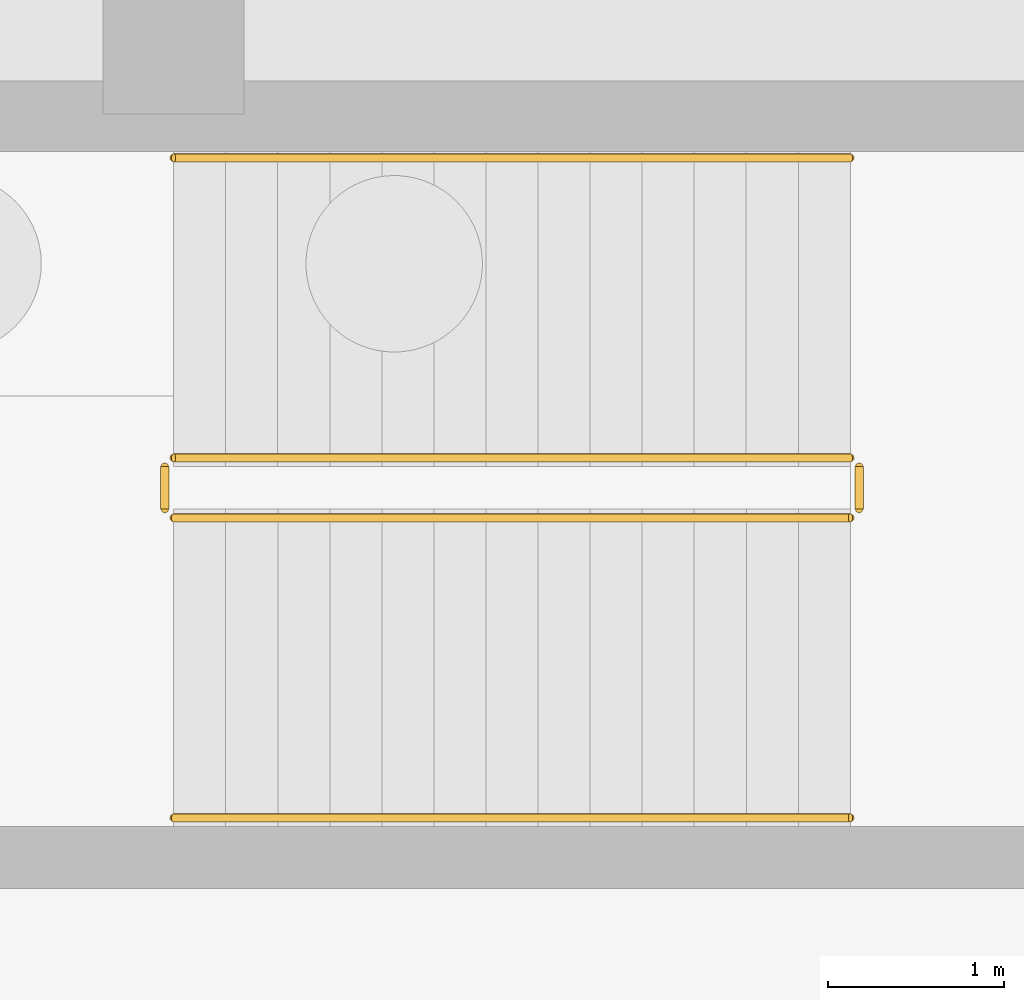
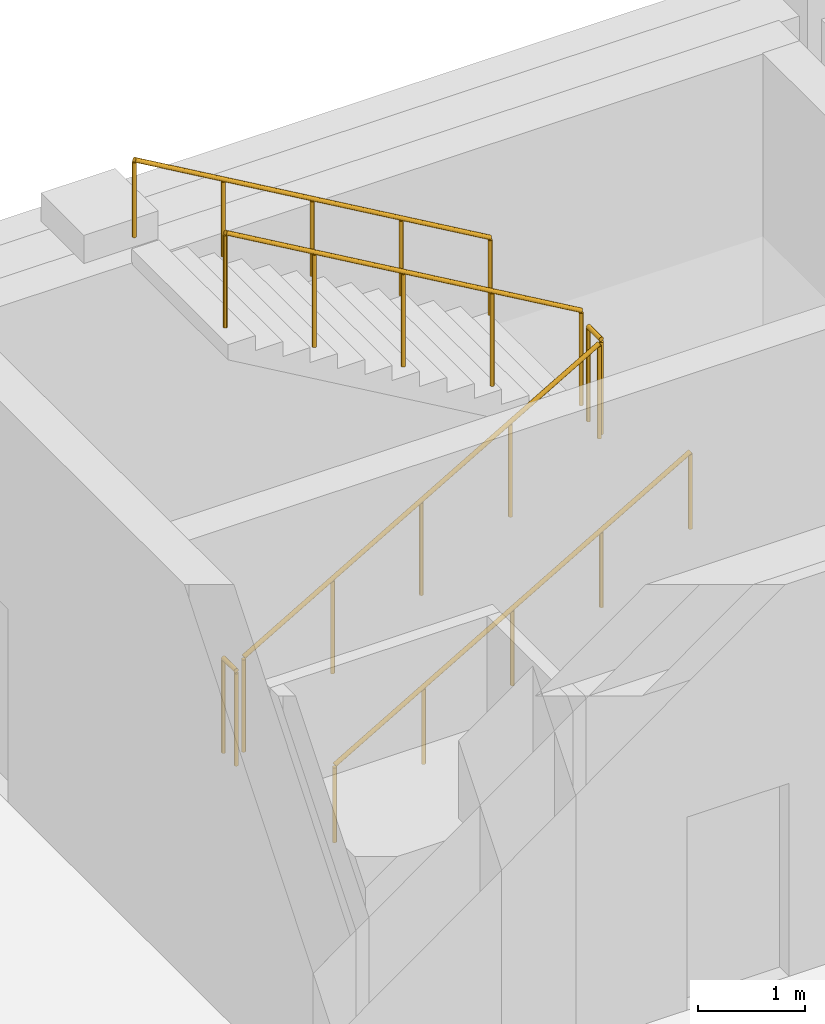
# One storey, part 32 of 35: 6 railings.
"""IFC4 building model written with IfcOpenShell, lengths in metres."""

import ifcopenshell
import ifcopenshell.guid

model = None  # the IFC model being written
_history = None  # IfcOwnerHistory: only IFC2X3 demands one
_inside = {}  # id of a spatial element -> (the spatial element, [elements in it])
_under = {}  # id of a project, library or spatial element -> (it, [spatial elements below it])
_declared = {}  # id of a project -> (the project, [libraries it declares])
_typed = {}  # id of a type object -> (the type object, [elements of that type])
_made_of = {}  # id of a material, layer set ... -> (it, [elements and type objects made of it])


def new_model(schema):
    """Start an empty IFC model of exactly this schema.

    Asked for "IFC4X3", IfcOpenShell would pick the latest addendum, in which some entities
    have other attributes; the version numbers below select the first issue.
    IFC2X3 requires an IfcOwnerHistory on every rooted entity: one is made here for all.
    """
    global model, _history
    if schema == "IFC4X3":
        model = ifcopenshell.file(schema_version=(4, 3, 0, 0))
    else:
        model = ifcopenshell.file(schema=schema)
    _inside.clear()
    _under.clear()
    _declared.clear()
    _typed.clear()
    _made_of.clear()
    _history = None
    if model.schema == "IFC2X3":
        org = make("IfcOrganization", Name="unknown")
        user = make(
            "IfcPersonAndOrganization",
            ThePerson=make("IfcPerson", FamilyName="unknown"),
            TheOrganization=org,
        )
        app = make(
            "IfcApplication",
            ApplicationDeveloper=org,
            Version="unknown",
            ApplicationFullName="unknown",
            ApplicationIdentifier="unknown",
        )
        _history = make(
            "IfcOwnerHistory",
            OwningUser=user,
            OwningApplication=app,
            ChangeAction="ADDED",
            CreationDate=0,
        )
    return model


def make(cls, **values):
    """One entity of the class cls with the attributes given. An attribute that is None is left unset."""
    return model.create_entity(
        cls, **{name: value for name, value in values.items() if value is not None}
    )


def rooted(cls, **values):
    """An entity with a GlobalId (a new one), such as an element, a storey or a relation."""
    return make(cls, GlobalId=ifcopenshell.guid.new(), OwnerHistory=_history, **values)


def si_unit(unit_type, name, prefix=None):
    """IfcSIUnit, for example si_unit("LENGTHUNIT", "METRE", prefix="MILLI")."""
    return make("IfcSIUnit", UnitType=unit_type, Prefix=prefix, Name=name)


def assignment(units):
    """IfcUnitAssignment: the units of a project."""
    return None if units is None else make("IfcUnitAssignment", Units=units)


def point(xyz):
    """IfcCartesianPoint."""
    return None if xyz is None else make("IfcCartesianPoint", Coordinates=xyz)


def direction(xyz):
    """IfcDirection."""
    return None if xyz is None else make("IfcDirection", DirectionRatios=xyz)


def frame(location, z_axis=None, x_axis=None):
    """IfcAxis2Placement3D, a coordinate frame: its origin and axes. An axis left out is left unset."""
    return make(
        "IfcAxis2Placement3D",
        Location=point(location),
        Axis=direction(z_axis),
        RefDirection=direction(x_axis),
    )


def frame_2d(location, x_axis=None):
    """IfcAxis2Placement2D, a coordinate frame in the plane: its origin and x axis."""
    return make(
        "IfcAxis2Placement2D", Location=point(location), RefDirection=direction(x_axis)
    )


def origin():
    """The frame at (0, 0, 0) with its axes left unset."""
    return frame((0.0, 0.0, 0.0))


def origin_2d():
    """The frame at (0, 0) in the plane with its x axis left unset."""
    return frame_2d((0.0, 0.0))


def place(relative_to, where):
    """IfcLocalPlacement: puts the frame where relative to a parent placement (None: the world)."""
    return make(
        "IfcLocalPlacement", PlacementRelTo=relative_to, RelativePlacement=where
    )


def context(
    kind, dimensions, precision=None, world=None, true_north=None, identifier=None
):
    """IfcGeometricRepresentationContext, for example the 3D "Model" context."""
    return make(
        "IfcGeometricRepresentationContext",
        ContextIdentifier=identifier,
        ContextType=kind,
        CoordinateSpaceDimension=dimensions,
        Precision=precision,
        WorldCoordinateSystem=world,
        TrueNorth=true_north,
    )


def subcontext(parent, identifier, kind, view, scale=None):
    """IfcGeometricRepresentationSubContext, for example "Body" below "Model"."""
    return make(
        "IfcGeometricRepresentationSubContext",
        ContextIdentifier=identifier,
        ContextType=kind,
        ParentContext=parent,
        TargetScale=scale,
        TargetView=view,
    )


def project(units=None, contexts=None):
    """IfcProject with its units and contexts."""
    return rooted(
        "IfcProject",
        Name="project",
        RepresentationContexts=contexts,
        UnitsInContext=assignment(units),
    )


def spatial(cls, under=None, at=None, **own):
    """A site, building, storey or space (cls), placed at a placement, below another one or the project."""
    s = rooted(cls, ObjectPlacement=at, **own)
    if under is not None:
        _under.setdefault(under.id(), (under, []))[1].append(s)
    return s


def profile(cls, at=None, kind="AREA", **sizes):
    """A parametric profile (cls). Its sizes go by their IFC names, for example OverallWidth=200.0."""
    return make(cls, ProfileType=kind, Position=at, **sizes)


def circle(**sizes):
    """IfcCircleProfileDef."""
    return profile("IfcCircleProfileDef", **sizes)


def extrude(swept, where, along, depth):
    """IfcExtrudedAreaSolid: the profile swept, set in the frame where, extruded along a direction by depth."""
    return make(
        "IfcExtrudedAreaSolid",
        SweptArea=swept,
        Position=where,
        ExtrudedDirection=direction(along),
        Depth=depth,
    )


def shape(context_of_items, identifier, shape_type, items):
    """IfcShapeRepresentation: the items that make up one representation, for example the "Body"."""
    return make(
        "IfcShapeRepresentation",
        ContextOfItems=context_of_items,
        RepresentationIdentifier=identifier,
        RepresentationType=shape_type,
        Items=items,
    )


def material(Name=None, Category=None):
    """IfcMaterial."""
    return make("IfcMaterial", Name=Name, Category=Category)


def made_of(thing, what):
    """Note that an element or type object is made of a material, layer set ...; save() writes the relation."""
    if what is not None:
        _made_of.setdefault(what.id(), (what, []))[1].append(thing)
    return thing


def type_object(cls, material=None, **own):
    """A type object (cls), such as IfcWallType, which elements share."""
    return made_of(rooted(cls, **own), material)


def element(
    cls,
    number,
    at=None,
    inside=None,
    cuts=None,
    type_object=None,
    material=None,
    context=None,
    identifier="Body",
    shape_type=None,
    held_by="IfcProductDefinitionShape",
    body=None,
    shapes=None,
    **own,
):
    """One element of the class cls, such as IfcWall. Its Tag is "e" and its number.

    at: its placement. inside: the storey or other place that contains it. cuts: it is an
    opening in that element (IfcRelVoidsElement). A single representation is given by context,
    identifier, shape_type and body (its items); several are given by shapes. held_by: the class
    of the entity that holds the representations. save() writes the other relations.
    """
    e = rooted(cls, Tag="e%d" % number, ObjectPlacement=at, **own)
    if body is not None:
        shapes = [shape(context, identifier, shape_type, body)]
    if shapes is not None:
        e.Representation = make(held_by, Representations=shapes)
    if inside is not None:
        _inside.setdefault(inside.id(), (inside, []))[1].append(e)
    if cuts is not None:
        rooted(
            "IfcRelVoidsElement", RelatingBuildingElement=cuts, RelatedOpeningElement=e
        )
    if type_object is not None:
        _typed.setdefault(type_object.id(), (type_object, []))[1].append(e)
    return made_of(e, material)


def aggregate(whole, parts):
    """IfcRelAggregates: a whole, such as a stair, and the parts it consists of."""
    return rooted("IfcRelAggregates", RelatingObject=whole, RelatedObjects=parts)


def save(model, path):
    """Write the relations noted so far, then the file.

    IfcRelAggregates (storeys below a building ...), IfcRelContainedInSpatialStructure (elements
    in a storey), IfcRelDefinesByType, IfcRelAssociatesMaterial and IfcRelDeclares: one each for
    every whole, place, type object, material and project.
    """
    for whole, parts in _under.values():
        aggregate(whole, parts)
    for where, things in _inside.values():
        rooted(
            "IfcRelContainedInSpatialStructure",
            RelatedElements=things,
            RelatingStructure=where,
        )
    for kind, things in _typed.values():
        rooted("IfcRelDefinesByType", RelatedObjects=things, RelatingType=kind)
    for what, things in _made_of.values():
        rooted("IfcRelAssociatesMaterial", RelatedObjects=things, RelatingMaterial=what)
    for by, libraries in _declared.values():
        rooted("IfcRelDeclares", RelatingContext=by, RelatedDefinitions=libraries)
    model.write(path)


model = new_model("IFC4")

# Units and contexts
model_context = context("Model", 3, precision=1e-05, world=origin(), true_north=direction((0.0, 1.0)))
body_context = subcontext(model_context, "Body", "Model", "MODEL_VIEW")
ifc_project = project(units=[si_unit("LENGTHUNIT", "METRE"), si_unit("AREAUNIT", "SQUARE_METRE"), si_unit("VOLUMEUNIT", "CUBIC_METRE"), si_unit("PLANEANGLEUNIT", "RADIAN"), si_unit("MASSUNIT", "GRAM", prefix="KILO")], contexts=[model_context])

# Site, building, storey
site_placement = place(None, origin())
site = spatial("IfcSite", under=ifc_project, at=site_placement, CompositionType="ELEMENT")
building_placement = place(site_placement, origin())
building = spatial("IfcBuilding", under=site, at=building_placement, Name="Zayran Congress Hotel", CompositionType="ELEMENT")
storey_placement = place(building_placement, frame((0.0, 0.0, -4.800048828125)))
storey = spatial("IfcBuildingStorey", under=building, at=storey_placement, Name="B1", CompositionType="ELEMENT", Elevation=-4.800048828125)

# Railings
ifc_material_1 = material(Name="Painted steel balustrade", Category="steel")
railing_type_1 = type_object("IfcRailingType", Name="TP-GRD-INT", PredefinedType="GUARDRAIL", material=ifc_material_1)
railing_1_placement = place(storey_placement, frame((84.0, 114.7099609375, 0.17138671875)))
element("IfcRailing", 1, at=railing_1_placement, inside=storey, type_object=railing_type_1, Name="B1 ST-04 stair guard 1", PredefinedType="GUARDRAIL", context=body_context, shape_type="SweptSolid", body=[
    extrude(circle(Radius=0.02392578125, at=origin_2d()), frame((0.0, 0.0, 1.076171875), z_axis=(0.864592272851, 0.0, 0.502474080651), x_axis=(0.0, 1.0, 0.0)), (0.0, 0.0, 1.0), 4.435546875),
    extrude(circle(Radius=0.02099609375, at=origin_2d()), origin(), (0.0, 0.0, 1.0), 1.052001953125),
    extrude(circle(Radius=0.02099609375, at=origin_2d()), frame((0.958740234375, 0.0, 0.55712890625)), (0.0, 0.0, 1.0), 1.052001953125),
    extrude(circle(Radius=0.02099609375, at=origin_2d()), frame((1.91748046875, 0.0, 1.1142578125)), (0.0, 0.0, 1.0), 1.052001953125),
    extrude(circle(Radius=0.02099609375, at=origin_2d()), frame((2.876220703125, 0.0, 1.671630859375)), (0.0, 0.0, 1.0), 1.052001953125),
    extrude(circle(Radius=0.02099609375, at=origin_2d()), frame((3.8349609375, 0.0, 2.228759765625)), (0.0, 0.0, 1.0), 1.052001953125),
])
railing_2_placement = place(storey_placement, frame((87.885009765625, 114.760009765625, 2.400146484375)))
element("IfcRailing", 2, at=railing_2_placement, inside=storey, type_object=railing_type_1, Name="B1 ST-04 stair guard 2", PredefinedType="GUARDRAIL", context=body_context, shape_type="SweptSolid", body=[
    extrude(circle(Radius=0.02392578125, at=origin_2d()), frame((0.0, 0.0, 1.076171875), z_axis=(0.0, 1.0, 0.0), x_axis=(-1.0, 0.0, 0.0)), (0.0, 0.0, 1.0), 0.239990234375),
    extrude(circle(Radius=0.02099609375, at=origin_2d()), origin(), (0.0, 0.0, 1.0), 1.052001953125),
    extrude(circle(Radius=0.02099609375, at=origin_2d()), frame((0.0, 0.239990234375, 0.0)), (0.0, 0.0, 1.0), 1.052001953125),
])
railing_3_placement = place(storey_placement, frame((87.8349609375, 115.050048828125, 2.571533203125)))
element("IfcRailing", 3, at=railing_3_placement, inside=storey, type_object=railing_type_1, Name="B1 ST-04 stair guard 3", PredefinedType="GUARDRAIL", context=body_context, shape_type="SweptSolid", body=[
    extrude(circle(Radius=0.02392578125, at=origin_2d()), frame((0.0, 0.0, 1.076171875), z_axis=(-0.86461618451, 0.0, 0.502432934314), x_axis=(0.0, -1.0, 0.0)), (0.0, 0.0, 1.0), 4.435546875),
    extrude(circle(Radius=0.02099609375, at=origin_2d()), origin(), (0.0, 0.0, 1.0), 1.052001953125),
    extrude(circle(Radius=0.02099609375, at=origin_2d()), frame((-0.958740234375, 0.0, 0.55712890625)), (0.0, 0.0, 1.0), 1.052001953125),
    extrude(circle(Radius=0.02099609375, at=origin_2d()), frame((-1.91748046875, 0.0, 1.1142578125)), (0.0, 0.0, 1.0), 1.052001953125),
    extrude(circle(Radius=0.02099609375, at=origin_2d()), frame((-2.876220703125, 0.0, 1.67138671875)), (0.0, 0.0, 1.0), 1.052001953125),
    extrude(circle(Radius=0.02099609375, at=origin_2d()), frame((-3.8349609375, 0.0, 2.228515625)), (0.0, 0.0, 1.0), 1.052001953125),
])
railing_4_placement = place(storey_placement, frame((83.949951171875, 114.760009765625, 0.0)))
element("IfcRailing", 4, at=railing_4_placement, inside=storey, type_object=railing_type_1, Name="B1 ST-04 stair guard 4", PredefinedType="GUARDRAIL", context=body_context, shape_type="SweptSolid", body=[
    extrude(circle(Radius=0.02392578125, at=origin_2d()), frame((0.0, 0.0, 1.076171875), z_axis=(0.0, 1.0, 0.0), x_axis=(-1.0, 0.0, 0.0)), (0.0, 0.0, 1.0), 0.239990234375),
    extrude(circle(Radius=0.02099609375, at=origin_2d()), origin(), (0.0, 0.0, 1.0), 1.052001953125),
    extrude(circle(Radius=0.02099609375, at=origin_2d()), frame((0.0, 0.239990234375, 0.0)), (0.0, 0.0, 1.0), 1.052001953125),
])
ifc_material_2 = material(Name="Brushed stainless steel handrail", Category="steel")
railing_type_2 = type_object("IfcRailingType", Name="TP-HND-STR", PredefinedType="HANDRAIL", material=ifc_material_2)
railing_5_placement = place(storey_placement, frame((84.0, 113.010009765625, 0.17138671875)))
element("IfcRailing", 5, at=railing_5_placement, inside=storey, type_object=railing_type_2, Name="B1 ST-04 stair handrail 1", PredefinedType="HANDRAIL", context=body_context, shape_type="SweptSolid", body=[
    extrude(circle(Radius=0.02392578125, at=origin_2d()), frame((0.0, 0.0, 0.8759765625), z_axis=(0.864592272851, 0.0, 0.502474080651), x_axis=(0.0, 1.0, 0.0)), (0.0, 0.0, 1.0), 4.435546875),
    extrude(circle(Radius=0.02099609375, at=origin_2d()), origin(), (0.0, 0.0, 1.0), 0.851806640625),
    extrude(circle(Radius=0.02099609375, at=origin_2d()), frame((0.958740234375, 0.0, 0.55712890625)), (0.0, 0.0, 1.0), 0.851806640625),
    extrude(circle(Radius=0.02099609375, at=origin_2d()), frame((1.91748046875, 0.0, 1.1142578125)), (0.0, 0.0, 1.0), 0.851806640625),
    extrude(circle(Radius=0.02099609375, at=origin_2d()), frame((2.876220703125, 0.0, 1.671630859375)), (0.0, 0.0, 1.0), 0.851806640625),
    extrude(circle(Radius=0.02099609375, at=origin_2d()), frame((3.8349609375, 0.0, 2.228759765625)), (0.0, 0.0, 1.0), 0.851806640625),
])
railing_6_placement = place(storey_placement, frame((87.8349609375, 116.75, 2.571533203125)))
element("IfcRailing", 6, at=railing_6_placement, inside=storey, type_object=railing_type_2, Name="B1 ST-04 stair handrail 2", PredefinedType="HANDRAIL", context=body_context, shape_type="SweptSolid", body=[
    extrude(circle(Radius=0.02392578125, at=origin_2d()), frame((0.0, 0.0, 0.8759765625), z_axis=(-0.86461618451, 0.0, 0.502432934314), x_axis=(0.0, -1.0, 0.0)), (0.0, 0.0, 1.0), 4.435546875),
    extrude(circle(Radius=0.02099609375, at=origin_2d()), origin(), (0.0, 0.0, 1.0), 0.851806640625),
    extrude(circle(Radius=0.02099609375, at=origin_2d()), frame((-0.958740234375, 0.0, 0.55712890625)), (0.0, 0.0, 1.0), 0.851806640625),
    extrude(circle(Radius=0.02099609375, at=origin_2d()), frame((-1.91748046875, 0.0, 1.1142578125)), (0.0, 0.0, 1.0), 0.851806640625),
    extrude(circle(Radius=0.02099609375, at=origin_2d()), frame((-2.876220703125, 0.0, 1.67138671875)), (0.0, 0.0, 1.0), 0.851806640625),
    extrude(circle(Radius=0.02099609375, at=origin_2d()), frame((-3.8349609375, 0.0, 2.228515625)), (0.0, 0.0, 1.0), 0.851806640625),
])

save(model, "model.ifc")
